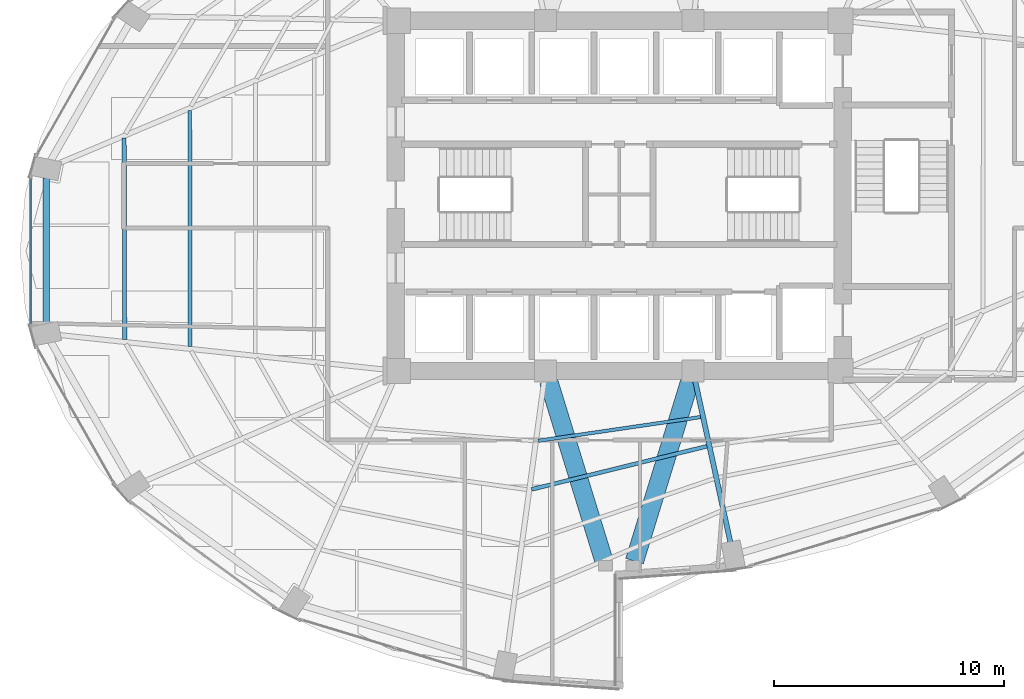
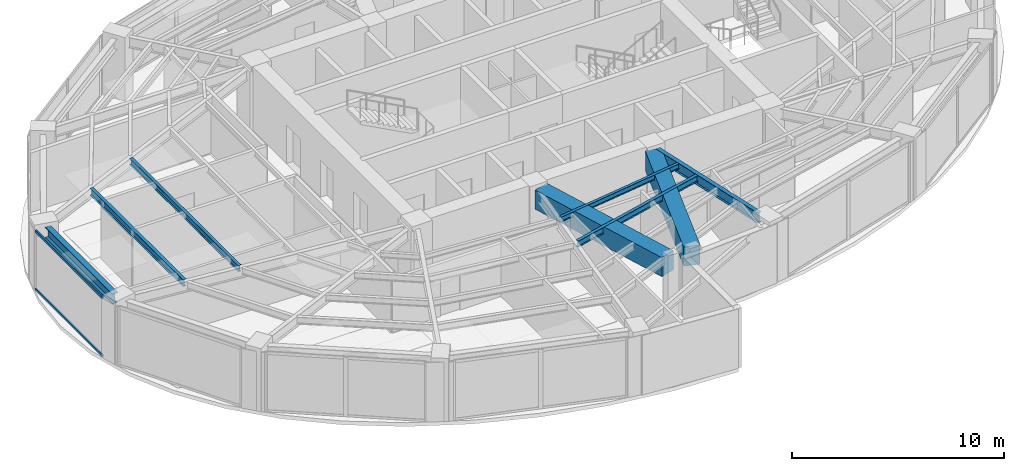
# One storey, part 7 of 23: 8 beams, 2 members, 1 element without a shape of its own.
"""IFC4 building model written with IfcOpenShell, lengths in metres."""

from ifc_helpers import new_model, si_unit, direction, frame, origin, origin_2d, place, context, subcontext, project, spatial, rectangle, hollow_rectangle, i_section, extrude, material, layer, layer_set, material_profile, profile_set, type_object, element, aggregate, save


model = new_model("IFC4")

# Units and contexts
model_context = context("Model", 3, precision=1e-05, world=origin(), true_north=direction((0.0, 1.0)))
body_context = subcontext(model_context, "Body", "Model", "MODEL_VIEW")
ifc_project = project(units=[si_unit("LENGTHUNIT", "METRE"), si_unit("AREAUNIT", "SQUARE_METRE"), si_unit("VOLUMEUNIT", "CUBIC_METRE"), si_unit("PLANEANGLEUNIT", "RADIAN"), si_unit("MASSUNIT", "GRAM", prefix="KILO")], contexts=[model_context])

# Site, building, storey
site_placement = place(None, origin())
site = spatial("IfcSite", under=ifc_project, at=site_placement, CompositionType="ELEMENT")
building_placement = place(site_placement, origin())
building = spatial("IfcBuilding", under=site, at=building_placement, Name="Lazwardi Medical Tower", CompositionType="ELEMENT")
storey_placement = place(building_placement, frame((0.0, 0.0, 89.0400390625)))
storey = spatial("IfcBuildingStorey", under=building, at=storey_placement, Name="L22", CompositionType="ELEMENT", Elevation=89.0400390625)

# Beams
ifc_material_1 = material(Name="Concrete C70/85", Category="concrete")
ifc_material_profile_1 = material_profile(ifc_material_1, rectangle(XDim=0.800048828125, YDim=1.10009765625, at=origin_2d()), Name="RC 800x1100")
ifc_profile_set_1 = profile_set([ifc_material_profile_1], Name="Concrete C70/85")
beam_type_1 = type_object("IfcBeamType", Name="BM-CB-RC1", PredefinedType="LINTEL", material=ifc_profile_set_1)
for number, where, z_axis, x_axis, name in (
    (1, (32.935302734375, 19.960205078125, 2.8779296875), (0.294073251002, -0.955782884888, 0.0), (0.955782884888, 0.294073251002, 0.0), "Core coupling lintel CB-01 PL3 L22"),
    (2, (39.064697265625, 19.960205078125, 2.8779296875), (-0.294073251002, -0.955782884888, 0.0), (0.955782884888, -0.294073251002, 0.0), "Core coupling lintel CB-01 PL4 L22"),
):
    element("IfcBeam", number, at=place(storey_placement, frame(where, z_axis=z_axis, x_axis=x_axis)), inside=storey, type_object=beam_type_1, Name=name, PredefinedType="LINTEL", context=body_context, shape_type="SweptSolid", body=[
        extrude(rectangle(XDim=0.800048828125, YDim=1.10009765625, at=origin_2d()), origin(), (0.0, 0.0, 1.0), 8.1708984375),
    ])
ifc_material_2 = material(Name="Steel S355", Category="steel")
ifc_material_profile_2 = material_profile(ifc_material_2, i_section(OverallWidth=0.300048828125, OverallDepth=0.60009765625, WebThickness=0.015380859375, FlangeThickness=0.030029296875, at=origin_2d()), Name="HEB 600")
ifc_profile_set_2 = profile_set([ifc_material_profile_2], Name="Steel S355")
beam_type_2 = type_object("IfcBeamType", Name="BM-RB-Z2", PredefinedType="BEAM", material=ifc_profile_set_2)
beam_1_placement = place(storey_placement, frame((11.13720703125, 28.77001953125, 3.1279296875), z_axis=(0.0, -1.0, 0.0), x_axis=(1.0, 0.0, 0.0)))
element("IfcBeam", 3, at=beam_1_placement, inside=storey, type_object=beam_type_2, Name="Ring beam RB-03 B12 L22", PredefinedType="BEAM", context=body_context, shape_type="SweptSolid", body=[
    extrude(i_section(OverallWidth=0.300048828125, OverallDepth=0.60009765625, WebThickness=0.015380859375, FlangeThickness=0.030029296875, at=origin_2d()), origin(), (0.0, 0.0, 1.0), 6.33984375),
])
ifc_material_profile_3 = material_profile(ifc_material_2, i_section(OverallWidth=0.219970703125, OverallDepth=0.60009765625, WebThickness=0.011962890625, FlangeThickness=0.01904296875, at=origin_2d()), Name="IPE 600")
ifc_profile_set_3 = profile_set([ifc_material_profile_3], Name="Steel S355")
beam_type_3 = type_object("IfcBeamType", Name="BM-RG-W1", PredefinedType="BEAM", material=ifc_profile_set_3)
beam_2_placement = place(storey_placement, frame((40.82177734375, 12.96923828125, 3.1279296875), z_axis=(-0.213228150441, 0.977002433907, 0.0), x_axis=(-0.977002433907, -0.213228150441, 0.0)))
element("IfcBeam", 4, at=beam_2_placement, inside=storey, type_object=beam_type_3, Name="Radial girder RG-02 R01 L22", PredefinedType="BEAM", context=body_context, shape_type="SweptSolid", body=[
    extrude(i_section(OverallWidth=0.219970703125, OverallDepth=0.60009765625, WebThickness=0.011962890625, FlangeThickness=0.01904296875, at=origin_2d()), origin(), (0.0, 0.0, 1.0), 7.145751953125),
])
ifc_material_profile_4 = material_profile(ifc_material_2, i_section(OverallWidth=0.179931640625, OverallDepth=0.39990234375, WebThickness=0.008544921875, FlangeThickness=0.013427734375, at=origin_2d()), Name="IPE 400")
ifc_profile_set_4 = profile_set([ifc_material_profile_4], Name="Steel S355")
beam_type_4 = type_object("IfcBeamType", Name="BM-SJ-01", PredefinedType="JOIST", material=ifc_profile_set_4)
beam_3_placement = place(storey_placement, frame((14.51904296875, 30.497314453125, 3.22802734375), z_axis=(0.002907126978, -0.999995774297, 0.0), x_axis=(0.999995774297, 0.002907126978, 0.0)))
element("IfcBeam", 5, at=beam_3_placement, inside=storey, type_object=beam_type_4, Name="Secondary joist SJ-01 R1 B12 L22", PredefinedType="JOIST", context=body_context, shape_type="SweptSolid", body=[
    extrude(i_section(OverallWidth=0.179931640625, OverallDepth=0.39990234375, WebThickness=0.008544921875, FlangeThickness=0.013427734375, at=origin_2d()), origin(), (0.0, 0.0, 1.0), 8.73388671875),
])
ifc_material_profile_5 = material_profile(ifc_material_2, i_section(OverallWidth=0.169921875, OverallDepth=0.360107421875, WebThickness=0.008056640625, FlangeThickness=0.0126953125, at=origin_2d()), Name="IPE 360")
ifc_profile_set_5 = profile_set([ifc_material_profile_5], Name="Steel S355")
beam_type_5 = type_object("IfcBeamType", Name="BM-SJ-02", PredefinedType="JOIST", material=ifc_profile_set_5)
beam_4_placement = place(storey_placement, frame((17.365966796875, 31.69482421875, 3.248046875), z_axis=(0.000930565095, -0.999999567024, 0.0), x_axis=(0.999999567024, 0.000930565095, 0.0)))
element("IfcBeam", 6, at=beam_4_placement, inside=storey, type_object=beam_type_5, Name="Secondary joist SJ-02 R2 B12 L22", PredefinedType="JOIST", context=body_context, shape_type="SweptSolid", body=[
    extrude(i_section(OverallWidth=0.169921875, OverallDepth=0.360107421875, WebThickness=0.008056640625, FlangeThickness=0.0126953125, at=origin_2d()), origin(), (0.0, 0.0, 1.0), 10.23193359375),
])
beam_5_placement = place(storey_placement, frame((32.19775390625, 15.262451171875, 3.248046875), z_axis=(0.97107737879, 0.238764998276, 0.0), x_axis=(-0.238764998276, 0.97107737879, 0.0)))
element("IfcBeam", 7, at=beam_5_placement, inside=storey, type_object=beam_type_5, Name="Secondary joist SJ-02 R3 B16 L22", PredefinedType="JOIST", context=body_context, shape_type="SweptSolid", body=[
    extrude(i_section(OverallWidth=0.169921875, OverallDepth=0.360107421875, WebThickness=0.008056640625, FlangeThickness=0.0126953125, at=origin_2d()), origin(), (0.0, 0.0, 1.0), 7.83447265625),
])
ifc_material_profile_6 = material_profile(ifc_material_2, i_section(OverallWidth=0.14990234375, OverallDepth=0.300048828125, WebThickness=0.007080078125, FlangeThickness=0.0107421875, at=origin_2d()), Name="IPE 300")
ifc_profile_set_6 = profile_set([ifc_material_profile_6], Name="Steel S355")
beam_type_6 = type_object("IfcBeamType", Name="BM-SJ-03", PredefinedType="JOIST", material=ifc_profile_set_6)
beam_6_placement = place(storey_placement, frame((32.488525390625, 17.37060546875, 3.278076171875), z_axis=(0.98949221477, 0.144586157392, 0.0), x_axis=(-0.144586157392, 0.98949221477, 0.0)))
element("IfcBeam", 8, at=beam_6_placement, inside=storey, type_object=beam_type_6, Name="Secondary joist SJ-03 R4 B16 L22", PredefinedType="JOIST", context=body_context, shape_type="SweptSolid", body=[
    extrude(i_section(OverallWidth=0.14990234375, OverallDepth=0.300048828125, WebThickness=0.007080078125, FlangeThickness=0.0107421875, at=origin_2d()), origin(), (0.0, 0.0, 1.0), 7.115478515625),
])

# Curtain wall, members
ifc_material_3 = material(Name="Anodised bronze aluminium and solar control glazing", Category="aluminium")
ifc_layer = layer(ifc_material_3, 0.195068359375)
ifc_layer_set = layer_set([ifc_layer], Name="Anodised bronze aluminium and solar control glazing")
curtain_wall_type = type_object("IfcCurtainWallType", Name="CW-SYS-03", PredefinedType="NOTDEFINED", material=ifc_layer_set)
curtain_wall_placement = place(storey_placement, origin())
curtain_wall = element("IfcCurtainWall", 9, at=curtain_wall_placement, inside=storey, type_object=curtain_wall_type, Name="L22 Unitised bronze curtain wall CW-03", PredefinedType="NOTDEFINED")
ifc_material_4 = material(Name="Anodised bronze aluminium", Category="aluminium")
ifc_material_profile_7 = material_profile(ifc_material_4, hollow_rectangle(XDim=0.074951171875, YDim=0.159912109375, WallThickness=0.00390625, at=origin_2d()), Name="ALU-TRANSOM 160x75x4")
ifc_profile_set_7 = profile_set([ifc_material_profile_7], Name="Anodised bronze aluminium")
member_type = type_object("IfcMemberType", Name="CW-TRN-01", PredefinedType="USERDEFINED", material=ifc_profile_set_7)
member_1_placement = place(storey_placement, frame((10.471923828125, 28.760009765625, 0.037353515625), z_axis=(0.0, -1.0, 0.0), x_axis=(1.0, 0.0, 0.0)))
member_1 = element("IfcMember", 10, at=member_1_placement, type_object=member_type, Name="CW-03 transom 1.1", ObjectType="TRANSOM", PredefinedType="USERDEFINED", context=body_context, shape_type="SweptSolid", body=[
    extrude(hollow_rectangle(XDim=0.074951171875, YDim=0.159912109375, WallThickness=0.00390625, at=origin_2d()), origin(), (0.0, 0.0, 1.0), 6.31982421875),
])
member_2_placement = place(storey_placement, frame((10.471923828125, 28.760009765625, 3.390380859375), z_axis=(0.0, -1.0, 0.0), x_axis=(1.0, 0.0, 0.0)))
member_2 = element("IfcMember", 11, at=member_2_placement, type_object=member_type, Name="CW-03 transom 1.2", ObjectType="TRANSOM", PredefinedType="USERDEFINED", context=body_context, shape_type="SweptSolid", body=[
    extrude(hollow_rectangle(XDim=0.074951171875, YDim=0.159912109375, WallThickness=0.00390625, at=origin_2d()), origin(), (0.0, 0.0, 1.0), 6.31982421875),
])
aggregate(curtain_wall, [member_1, member_2])

save(model, "model.ifc")
